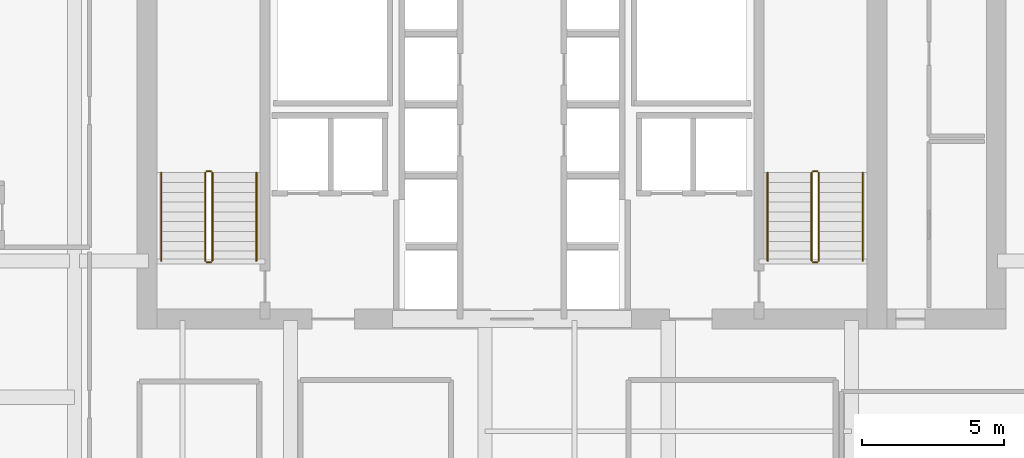
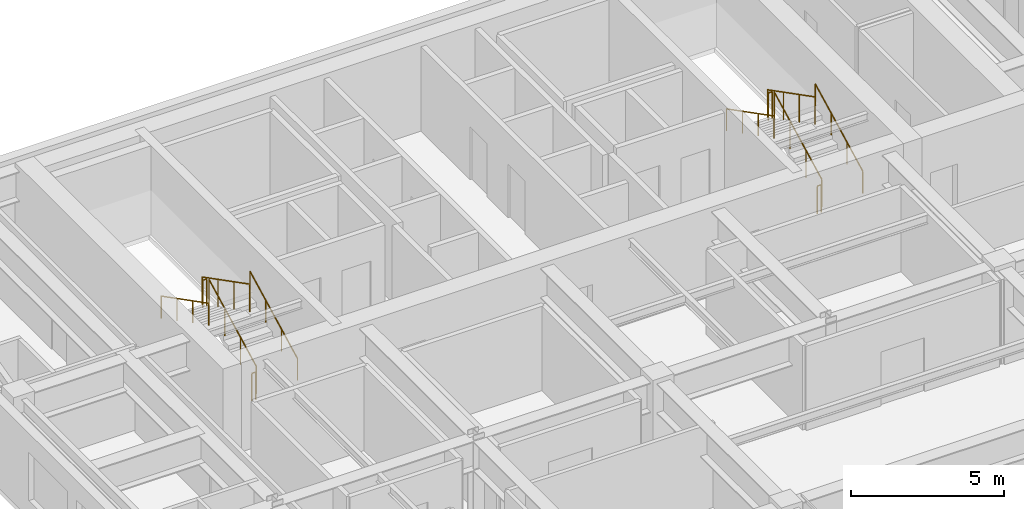
# One storey, part 14 of 14: 12 railings.
"""IFC4 building model written with IfcOpenShell, lengths in metres."""

from ifc_helpers import new_model, si_unit, direction, frame, origin, origin_2d, place, context, subcontext, project, spatial, circle, extrude, material, type_object, element, save


model = new_model("IFC4")

# Units and contexts
model_context = context("Model", 3, precision=1e-05, world=origin(), true_north=direction((0.0, 1.0)))
body_context = subcontext(model_context, "Body", "Model", "MODEL_VIEW")
ifc_project = project(units=[si_unit("LENGTHUNIT", "METRE"), si_unit("AREAUNIT", "SQUARE_METRE"), si_unit("VOLUMEUNIT", "CUBIC_METRE"), si_unit("PLANEANGLEUNIT", "RADIAN"), si_unit("MASSUNIT", "GRAM", prefix="KILO")], contexts=[model_context])

# Site, building, storey
site_placement = place(None, origin())
site = spatial("IfcSite", under=ifc_project, at=site_placement, CompositionType="ELEMENT")
building_placement = place(site_placement, origin())
building = spatial("IfcBuilding", under=site, at=building_placement, Name="Tolvann Quenvar Hotel", CompositionType="ELEMENT")
storey_placement = place(building_placement, frame((0.0, 0.0, 150.60009765625)))
storey = spatial("IfcBuildingStorey", under=building, at=storey_placement, Name="L39", CompositionType="ELEMENT", Elevation=150.60009765625)

# Railings
ifc_material = material(Name="Brushed 316 stainless steel balustrade and handrail", Category="steel")
railing_type_1 = type_object("IfcRailingType", Name="GUARDRAIL", PredefinedType="GUARDRAIL", material=ifc_material)
railing_1_placement = place(storey_placement, frame((12.449951171875, 34.0, 0.177490234375)))
element("IfcRailing", 1, at=railing_1_placement, inside=storey, type_object=railing_type_1, Name="L39 ST-C1 stair guard 1", PredefinedType="GUARDRAIL", context=body_context, shape_type="SweptSolid", body=[
    extrude(circle(Radius=0.02392578125, at=origin_2d()), frame((0.0, 0.0, 1.09619140625), z_axis=(0.0, 0.889221982265, 0.45747597342), x_axis=(-1.0, 0.0, 0.0)), (0.0, 0.0, 1.0), 3.49169921875),
    extrude(circle(Radius=0.02099609375, at=origin_2d()), origin(), (0.0, 0.0, 1.0), 1.072021484375),
    extrude(circle(Radius=0.02099609375, at=origin_2d()), frame((0.0, 1.034912109375, 0.532470703125)), (0.0, 0.0, 1.0), 1.072021484375),
    extrude(circle(Radius=0.02099609375, at=origin_2d()), frame((0.0, 2.070068359375, 1.06494140625)), (0.0, 0.0, 1.0), 1.072021484375),
    extrude(circle(Radius=0.02099609375, at=origin_2d()), frame((0.0, 3.10498046875, 1.597412109375)), (0.0, 0.0, 1.0), 1.072021484375),
])
railing_2_placement = place(storey_placement, frame((12.39990234375, 37.155029296875, 1.77490234375)))
element("IfcRailing", 2, at=railing_2_placement, inside=storey, type_object=railing_type_1, Name="L39 ST-C1 stair guard 2", PredefinedType="GUARDRAIL", context=body_context, shape_type="SweptSolid", body=[
    extrude(circle(Radius=0.02392578125, at=origin_2d()), frame((0.0, 0.0, 1.09619140625), z_axis=(-1.0, 0.0, 0.0), x_axis=(0.0, -1.0, 0.0)), (0.0, 0.0, 1.0), 0.14990234375),
    extrude(circle(Radius=0.02099609375, at=origin_2d()), origin(), (0.0, 0.0, 1.0), 1.072021484375),
    extrude(circle(Radius=0.02099609375, at=origin_2d()), frame((-0.14990234375, 0.0, 0.0)), (0.0, 0.0, 1.0), 1.072021484375),
])
railing_3_placement = place(storey_placement, frame((12.199951171875, 37.10498046875, 1.952392578125)))
element("IfcRailing", 3, at=railing_3_placement, inside=storey, type_object=railing_type_1, Name="L39 ST-C1 stair guard 3", PredefinedType="GUARDRAIL", context=body_context, shape_type="SweptSolid", body=[
    extrude(circle(Radius=0.02392578125, at=origin_2d()), frame((0.0, 0.0, 1.09619140625), z_axis=(0.0, -0.889221982265, 0.45747597342), x_axis=(1.0, 0.0, 0.0)), (0.0, 0.0, 1.0), 3.49169921875),
    extrude(circle(Radius=0.02099609375, at=origin_2d()), origin(), (0.0, 0.0, 1.0), 1.072021484375),
    extrude(circle(Radius=0.02099609375, at=origin_2d()), frame((0.0, -1.034912109375, 0.532470703125)), (0.0, 0.0, 1.0), 1.072021484375),
    extrude(circle(Radius=0.02099609375, at=origin_2d()), frame((0.0, -2.070068359375, 1.06494140625)), (0.0, 0.0, 1.0), 1.072021484375),
    extrude(circle(Radius=0.02099609375, at=origin_2d()), frame((0.0, -3.10498046875, 1.597412109375)), (0.0, 0.0, 1.0), 1.072021484375),
])
railing_4_placement = place(storey_placement, frame((12.39990234375, 33.949951171875, 0.0)))
element("IfcRailing", 4, at=railing_4_placement, inside=storey, type_object=railing_type_1, Name="L39 ST-C1 stair guard 4", PredefinedType="GUARDRAIL", context=body_context, shape_type="SweptSolid", body=[
    extrude(circle(Radius=0.02392578125, at=origin_2d()), frame((0.0, 0.0, 1.09619140625), z_axis=(-1.0, 0.0, 0.0), x_axis=(0.0, -1.0, 0.0)), (0.0, 0.0, 1.0), 0.14990234375),
    extrude(circle(Radius=0.02099609375, at=origin_2d()), origin(), (0.0, 0.0, 1.0), 1.072021484375),
    extrude(circle(Radius=0.02099609375, at=origin_2d()), frame((-0.14990234375, 0.0, 0.0)), (0.0, 0.0, 1.0), 1.072021484375),
])
railing_5_placement = place(storey_placement, frame((33.800048828125, 34.0, 0.177490234375)))
element("IfcRailing", 5, at=railing_5_placement, inside=storey, type_object=railing_type_1, Name="L39 ST-C2 stair guard 1", PredefinedType="GUARDRAIL", context=body_context, shape_type="SweptSolid", body=[
    extrude(circle(Radius=0.02392578125, at=origin_2d()), frame((0.0, 0.0, 1.09619140625), z_axis=(0.0, 0.889221982265, 0.45747597342), x_axis=(-1.0, 0.0, 0.0)), (0.0, 0.0, 1.0), 3.49169921875),
    extrude(circle(Radius=0.02099609375, at=origin_2d()), origin(), (0.0, 0.0, 1.0), 1.072021484375),
    extrude(circle(Radius=0.02099609375, at=origin_2d()), frame((0.0, 1.034912109375, 0.532470703125)), (0.0, 0.0, 1.0), 1.072021484375),
    extrude(circle(Radius=0.02099609375, at=origin_2d()), frame((0.0, 2.070068359375, 1.06494140625)), (0.0, 0.0, 1.0), 1.072021484375),
    extrude(circle(Radius=0.02099609375, at=origin_2d()), frame((0.0, 3.10498046875, 1.597412109375)), (0.0, 0.0, 1.0), 1.072021484375),
])
railing_6_placement = place(storey_placement, frame((33.75, 37.155029296875, 1.77490234375)))
element("IfcRailing", 6, at=railing_6_placement, inside=storey, type_object=railing_type_1, Name="L39 ST-C2 stair guard 2", PredefinedType="GUARDRAIL", context=body_context, shape_type="SweptSolid", body=[
    extrude(circle(Radius=0.02392578125, at=origin_2d()), frame((0.0, 0.0, 1.09619140625), z_axis=(-1.0, 0.0, 0.0), x_axis=(0.0, -1.0, 0.0)), (0.0, 0.0, 1.0), 0.14990234375),
    extrude(circle(Radius=0.02099609375, at=origin_2d()), origin(), (0.0, 0.0, 1.0), 1.072021484375),
    extrude(circle(Radius=0.02099609375, at=origin_2d()), frame((-0.14990234375, 0.0, 0.0)), (0.0, 0.0, 1.0), 1.072021484375),
])
railing_7_placement = place(storey_placement, frame((33.550048828125, 37.10498046875, 1.952392578125)))
element("IfcRailing", 7, at=railing_7_placement, inside=storey, type_object=railing_type_1, Name="L39 ST-C2 stair guard 3", PredefinedType="GUARDRAIL", context=body_context, shape_type="SweptSolid", body=[
    extrude(circle(Radius=0.02392578125, at=origin_2d()), frame((0.0, 0.0, 1.09619140625), z_axis=(0.0, -0.889221982265, 0.45747597342), x_axis=(1.0, 0.0, 0.0)), (0.0, 0.0, 1.0), 3.49169921875),
    extrude(circle(Radius=0.02099609375, at=origin_2d()), origin(), (0.0, 0.0, 1.0), 1.072021484375),
    extrude(circle(Radius=0.02099609375, at=origin_2d()), frame((0.0, -1.034912109375, 0.532470703125)), (0.0, 0.0, 1.0), 1.072021484375),
    extrude(circle(Radius=0.02099609375, at=origin_2d()), frame((0.0, -2.070068359375, 1.06494140625)), (0.0, 0.0, 1.0), 1.072021484375),
    extrude(circle(Radius=0.02099609375, at=origin_2d()), frame((0.0, -3.10498046875, 1.597412109375)), (0.0, 0.0, 1.0), 1.072021484375),
])
railing_8_placement = place(storey_placement, frame((33.75, 33.949951171875, 0.0)))
element("IfcRailing", 8, at=railing_8_placement, inside=storey, type_object=railing_type_1, Name="L39 ST-C2 stair guard 4", PredefinedType="GUARDRAIL", context=body_context, shape_type="SweptSolid", body=[
    extrude(circle(Radius=0.02392578125, at=origin_2d()), frame((0.0, 0.0, 1.09619140625), z_axis=(-1.0, 0.0, 0.0), x_axis=(0.0, -1.0, 0.0)), (0.0, 0.0, 1.0), 0.14990234375),
    extrude(circle(Radius=0.02099609375, at=origin_2d()), origin(), (0.0, 0.0, 1.0), 1.072021484375),
    extrude(circle(Radius=0.02099609375, at=origin_2d()), frame((-0.14990234375, 0.0, 0.0)), (0.0, 0.0, 1.0), 1.072021484375),
])
railing_type_2 = type_object("IfcRailingType", Name="HANDRAIL", PredefinedType="HANDRAIL", material=ifc_material)
railing_9_placement = place(storey_placement, frame((14.0, 34.0, 0.177490234375)))
element("IfcRailing", 9, at=railing_9_placement, inside=storey, type_object=railing_type_2, Name="L39 ST-C1 stair handrail 1", PredefinedType="HANDRAIL", context=body_context, shape_type="SweptSolid", body=[
    extrude(circle(Radius=0.02392578125, at=origin_2d()), frame((0.0, 0.0, 0.8759765625), z_axis=(0.0, 0.889221982265, 0.45747597342), x_axis=(-1.0, 0.0, 0.0)), (0.0, 0.0, 1.0), 3.49169921875),
    extrude(circle(Radius=0.02099609375, at=origin_2d()), origin(), (0.0, 0.0, 1.0), 0.851806640625),
    extrude(circle(Radius=0.02099609375, at=origin_2d()), frame((0.0, 1.034912109375, 0.532470703125)), (0.0, 0.0, 1.0), 0.851806640625),
    extrude(circle(Radius=0.02099609375, at=origin_2d()), frame((0.0, 2.070068359375, 1.06494140625)), (0.0, 0.0, 1.0), 0.851806640625),
    extrude(circle(Radius=0.02099609375, at=origin_2d()), frame((0.0, 3.10498046875, 1.597412109375)), (0.0, 0.0, 1.0), 0.851806640625),
])
railing_10_placement = place(storey_placement, frame((10.64990234375, 37.10498046875, 1.952392578125)))
element("IfcRailing", 10, at=railing_10_placement, inside=storey, type_object=railing_type_2, Name="L39 ST-C1 stair handrail 2", PredefinedType="HANDRAIL", context=body_context, shape_type="SweptSolid", body=[
    extrude(circle(Radius=0.02392578125, at=origin_2d()), frame((0.0, 0.0, 0.8759765625), z_axis=(0.0, -0.889221982265, 0.45747597342), x_axis=(1.0, 0.0, 0.0)), (0.0, 0.0, 1.0), 3.49169921875),
    extrude(circle(Radius=0.02099609375, at=origin_2d()), origin(), (0.0, 0.0, 1.0), 0.851806640625),
    extrude(circle(Radius=0.02099609375, at=origin_2d()), frame((0.0, -1.034912109375, 0.532470703125)), (0.0, 0.0, 1.0), 0.851806640625),
    extrude(circle(Radius=0.02099609375, at=origin_2d()), frame((0.0, -2.070068359375, 1.06494140625)), (0.0, 0.0, 1.0), 0.851806640625),
    extrude(circle(Radius=0.02099609375, at=origin_2d()), frame((0.0, -3.10498046875, 1.597412109375)), (0.0, 0.0, 1.0), 0.851806640625),
])
railing_11_placement = place(storey_placement, frame((35.35009765625, 34.0, 0.177490234375)))
element("IfcRailing", 11, at=railing_11_placement, inside=storey, type_object=railing_type_2, Name="L39 ST-C2 stair handrail 1", PredefinedType="HANDRAIL", context=body_context, shape_type="SweptSolid", body=[
    extrude(circle(Radius=0.02392578125, at=origin_2d()), frame((0.0, 0.0, 0.8759765625), z_axis=(0.0, 0.889221982265, 0.45747597342), x_axis=(-1.0, 0.0, 0.0)), (0.0, 0.0, 1.0), 3.49169921875),
    extrude(circle(Radius=0.02099609375, at=origin_2d()), origin(), (0.0, 0.0, 1.0), 0.851806640625),
    extrude(circle(Radius=0.02099609375, at=origin_2d()), frame((0.0, 1.034912109375, 0.532470703125)), (0.0, 0.0, 1.0), 0.851806640625),
    extrude(circle(Radius=0.02099609375, at=origin_2d()), frame((0.0, 2.070068359375, 1.06494140625)), (0.0, 0.0, 1.0), 0.851806640625),
    extrude(circle(Radius=0.02099609375, at=origin_2d()), frame((0.0, 3.10498046875, 1.597412109375)), (0.0, 0.0, 1.0), 0.851806640625),
])
railing_12_placement = place(storey_placement, frame((32.0, 37.10498046875, 1.952392578125)))
element("IfcRailing", 12, at=railing_12_placement, inside=storey, type_object=railing_type_2, Name="L39 ST-C2 stair handrail 2", PredefinedType="HANDRAIL", context=body_context, shape_type="SweptSolid", body=[
    extrude(circle(Radius=0.02392578125, at=origin_2d()), frame((0.0, 0.0, 0.8759765625), z_axis=(0.0, -0.889221982265, 0.45747597342), x_axis=(1.0, 0.0, 0.0)), (0.0, 0.0, 1.0), 3.49169921875),
    extrude(circle(Radius=0.02099609375, at=origin_2d()), origin(), (0.0, 0.0, 1.0), 0.851806640625),
    extrude(circle(Radius=0.02099609375, at=origin_2d()), frame((0.0, -1.034912109375, 0.532470703125)), (0.0, 0.0, 1.0), 0.851806640625),
    extrude(circle(Radius=0.02099609375, at=origin_2d()), frame((0.0, -2.070068359375, 1.06494140625)), (0.0, 0.0, 1.0), 0.851806640625),
    extrude(circle(Radius=0.02099609375, at=origin_2d()), frame((0.0, -3.10498046875, 1.597412109375)), (0.0, 0.0, 1.0), 0.851806640625),
])

save(model, "model.ifc")
